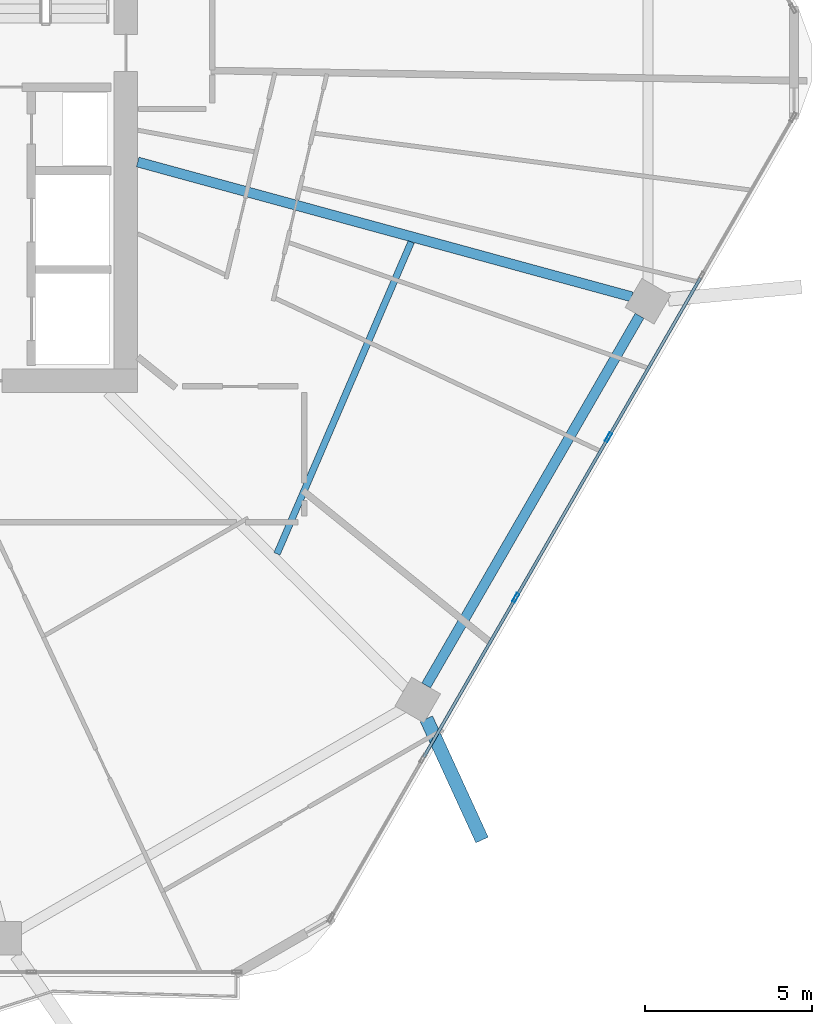
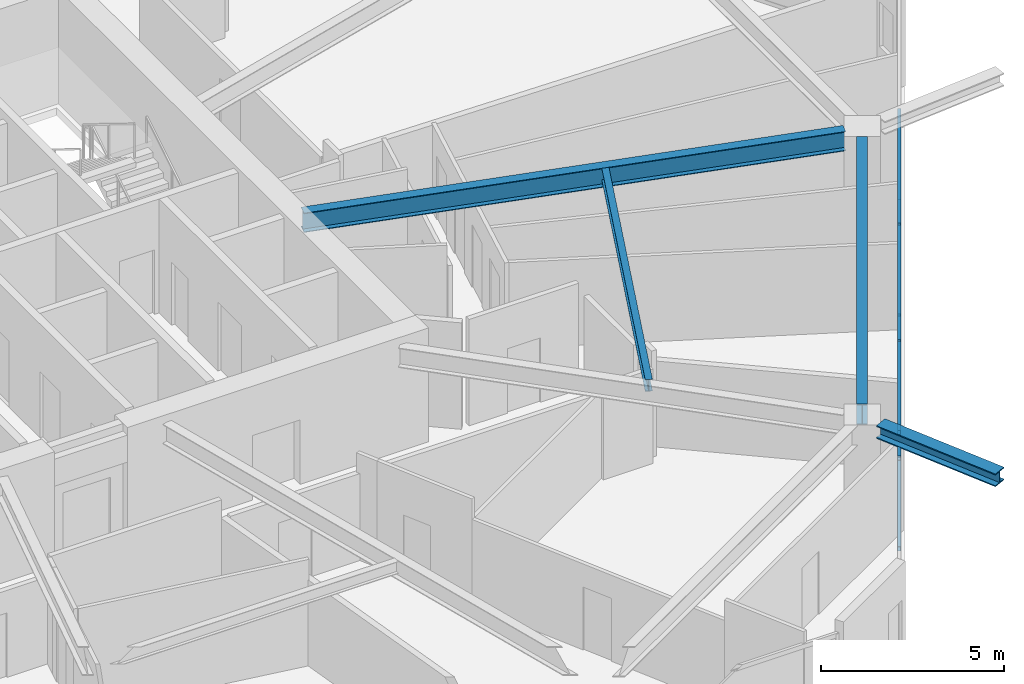
# One storey, part 8 of 27: 8 members, 4 beams, 1 element without a shape of its own.
"""IFC4 building model written with IfcOpenShell, lengths in metres."""

from ifc_helpers import new_model, si_unit, direction, frame, origin, origin_2d, place, context, subcontext, project, spatial, hollow_rectangle, i_section, extrude, material, material_profile, profile_set, type_object, element, aggregate, save


model = new_model("IFC4")

# Units and contexts
model_context = context("Model", 3, precision=1e-05, world=origin(), true_north=direction((0.0, 1.0)))
body_context = subcontext(model_context, "Body", "Model", "MODEL_VIEW")
ifc_project = project(units=[si_unit("LENGTHUNIT", "METRE"), si_unit("AREAUNIT", "SQUARE_METRE"), si_unit("VOLUMEUNIT", "CUBIC_METRE"), si_unit("PLANEANGLEUNIT", "RADIAN"), si_unit("MASSUNIT", "GRAM", prefix="KILO")], contexts=[model_context])

# Site, building, storey
site_placement = place(None, origin())
site = spatial("IfcSite", under=ifc_project, at=site_placement, CompositionType="ELEMENT")
building_placement = place(site_placement, origin())
building = spatial("IfcBuilding", under=site, at=building_placement, Name="Zuhravey Tower", CompositionType="ELEMENT")
storey_placement = place(building_placement, frame((0.0, 0.0, 173.199951171875)))
storey = spatial("IfcBuildingStorey", under=building, at=storey_placement, Name="L43", CompositionType="ELEMENT", Elevation=173.199951171875)

# Curtain wall, members
ifc_material_1 = material(Name="Thermally broken anodised aluminium", Category="aluminium")
curtain_wall_type = type_object("IfcCurtainWallType", Name="Zone 1-2 Residential Curtain Wall CW3", PredefinedType="NOTDEFINED", material=ifc_material_1)
curtain_wall_placement = place(storey_placement, origin())
curtain_wall = element("IfcCurtainWall", 1, at=curtain_wall_placement, inside=storey, type_object=curtain_wall_type, Name="L43 CW3 CW-L43-F6-1", PredefinedType="NOTDEFINED")
ifc_material_2 = material(Name="Anodised aluminium", Category="aluminium")
ifc_material_profile_1 = material_profile(ifc_material_2, hollow_rectangle(XDim=0.090087890625, YDim=0.284912109375, WallThickness=0.0048828125, at=origin_2d()), Name="ALU-RHS-90x285x5")
ifc_profile_set_1 = profile_set([ifc_material_profile_1], Name="Anodised aluminium")
member_type_1 = type_object("IfcMemberType", Name="Curtain-Wall Mullion 90x180", PredefinedType="MULLION", material=ifc_profile_set_1)
member_1_placement = place(storey_placement, frame((60.92724609375, 20.809326171875, 0.0), z_axis=(0.0, 0.0, 1.0), x_axis=(0.866025138215, -0.500000459979, 0.0)))
member_1 = element("IfcMember", 2, at=member_1_placement, type_object=member_type_1, Name="CW3 mullion 3", PredefinedType="MULLION", context=body_context, shape_type="SweptSolid", body=[
    extrude(hollow_rectangle(XDim=0.090087890625, YDim=0.284912109375, WallThickness=0.0048828125, at=origin_2d()), origin(), (0.0, 0.0, 1.0), 3.1220703125),
])
member_2_placement = place(storey_placement, frame((58.155029296875, 16.007568359375, 0.0), z_axis=(0.0, 0.0, 1.0), x_axis=(0.866025138215, -0.500000459979, 0.0)))
member_2 = element("IfcMember", 3, at=member_2_placement, type_object=member_type_1, Name="CW3 mullion 4", PredefinedType="MULLION", context=body_context, shape_type="SweptSolid", body=[
    extrude(hollow_rectangle(XDim=0.090087890625, YDim=0.284912109375, WallThickness=0.0048828125, at=origin_2d()), origin(), (0.0, 0.0, 1.0), 3.1220703125),
])
ifc_material_profile_2 = material_profile(ifc_material_2, hollow_rectangle(XDim=0.090087890625, YDim=0.14990234375, WallThickness=0.0048828125, at=origin_2d()), Name="ALU-RHS-90x150x5")
ifc_profile_set_2 = profile_set([ifc_material_profile_2], Name="Anodised aluminium")
member_type_2 = type_object("IfcMemberType", Name="Curtain-Wall Transom 90x150", PredefinedType="USERDEFINED", material=ifc_profile_set_2)
member_3_placement = place(storey_placement, frame((63.677001953125, 25.572021484375, 0.045166015625), z_axis=(-0.49996138257, -0.86604769842, 0.0), x_axis=(0.86604769842, -0.49996138257, 0.0)))
member_3 = element("IfcMember", 4, at=member_3_placement, type_object=member_type_2, Name="CW3 transom 2.1", ObjectType="TRANSOM", PredefinedType="USERDEFINED", context=body_context, shape_type="SweptSolid", body=[
    extrude(hollow_rectangle(XDim=0.090087890625, YDim=0.14990234375, WallThickness=0.0048828125, at=origin_2d()), origin(), (0.0, 0.0, 1.0), 5.45458984375),
])
member_4_placement = place(storey_placement, frame((63.677001953125, 25.572021484375, 3.0771484375), z_axis=(-0.49996138257, -0.86604769842, 0.0), x_axis=(0.86604769842, -0.49996138257, 0.0)))
member_4 = element("IfcMember", 5, at=member_4_placement, type_object=member_type_2, Name="CW3 transom 2.2", ObjectType="TRANSOM", PredefinedType="USERDEFINED", context=body_context, shape_type="SweptSolid", body=[
    extrude(hollow_rectangle(XDim=0.090087890625, YDim=0.14990234375, WallThickness=0.0048828125, at=origin_2d()), origin(), (0.0, 0.0, 1.0), 5.45458984375),
])
member_5_placement = place(storey_placement, frame((60.90478515625, 20.770263671875, 0.045166015625), z_axis=(-0.499980763544, -0.866036509673, 0.0), x_axis=(0.866036509673, -0.499980763544, 0.0)))
member_5 = element("IfcMember", 6, at=member_5_placement, type_object=member_type_2, Name="CW3 transom 3.1", ObjectType="TRANSOM", PredefinedType="USERDEFINED", context=body_context, shape_type="SweptSolid", body=[
    extrude(hollow_rectangle(XDim=0.090087890625, YDim=0.14990234375, WallThickness=0.0048828125, at=origin_2d()), origin(), (0.0, 0.0, 1.0), 5.454345703125),
])
member_6_placement = place(storey_placement, frame((60.90478515625, 20.770263671875, 3.0771484375), z_axis=(-0.499980763544, -0.866036509673, 0.0), x_axis=(0.866036509673, -0.499980763544, 0.0)))
member_6 = element("IfcMember", 7, at=member_6_placement, type_object=member_type_2, Name="CW3 transom 3.2", ObjectType="TRANSOM", PredefinedType="USERDEFINED", context=body_context, shape_type="SweptSolid", body=[
    extrude(hollow_rectangle(XDim=0.090087890625, YDim=0.14990234375, WallThickness=0.0048828125, at=origin_2d()), origin(), (0.0, 0.0, 1.0), 5.454345703125),
])
member_7_placement = place(storey_placement, frame((58.132568359375, 15.96875, 0.045166015625), z_axis=(-0.49996138257, -0.86604769842, 0.0), x_axis=(0.86604769842, -0.49996138257, 0.0)))
member_7 = element("IfcMember", 8, at=member_7_placement, type_object=member_type_2, Name="CW3 transom 4.1", ObjectType="TRANSOM", PredefinedType="USERDEFINED", context=body_context, shape_type="SweptSolid", body=[
    extrude(hollow_rectangle(XDim=0.090087890625, YDim=0.14990234375, WallThickness=0.0048828125, at=origin_2d()), origin(), (0.0, 0.0, 1.0), 5.45458984375),
])
member_8_placement = place(storey_placement, frame((58.132568359375, 15.96875, 3.0771484375), z_axis=(-0.49996138257, -0.86604769842, 0.0), x_axis=(0.86604769842, -0.49996138257, 0.0)))
member_8 = element("IfcMember", 9, at=member_8_placement, type_object=member_type_2, Name="CW3 transom 4.2", ObjectType="TRANSOM", PredefinedType="USERDEFINED", context=body_context, shape_type="SweptSolid", body=[
    extrude(hollow_rectangle(XDim=0.090087890625, YDim=0.14990234375, WallThickness=0.0048828125, at=origin_2d()), origin(), (0.0, 0.0, 1.0), 5.45458984375),
])
aggregate(curtain_wall, [member_1, member_2, member_3, member_4, member_5, member_6, member_7, member_8])

# Beams
ifc_material_3 = material(Name="Steel SM460", Category="steel")
ifc_material_profile_3 = material_profile(ifc_material_3, i_section(OverallWidth=0.406982421875, OverallDepth=0.427978515625, WebThickness=0.02001953125, FlangeThickness=0.034912109375, at=origin_2d()), Name="H-428x407x20x35")
ifc_profile_set_3 = profile_set([ifc_material_profile_3], Name="Steel SM460")
beam_type_1 = type_object("IfcBeamType", Name="Exoskeleton Node Tie Beam H428x407", PredefinedType="BEAM", material=ifc_profile_set_3)
beam_1_placement = place(storey_placement, frame((55.48291015625, 12.392822265625, 3.3359375), z_axis=(0.417299408562, -0.90876905956, 0.0), x_axis=(0.90876905956, 0.417299408562, 0.0)))
element("IfcBeam", 10, at=beam_1_placement, inside=storey, type_object=beam_type_1, Name="L43 Exoskeleton Node Tie NT1-11", PredefinedType="BEAM", context=body_context, shape_type="SweptSolid", body=[
    extrude(i_section(OverallWidth=0.406982421875, OverallDepth=0.427978515625, WebThickness=0.02001953125, FlangeThickness=0.034912109375, at=origin_2d()), origin(), (0.0, 0.0, 1.0), 3.989501953125),
])
ifc_material_4 = material(Name="Steel SM355", Category="steel")
ifc_material_profile_4 = material_profile(ifc_material_4, i_section(OverallWidth=0.300048828125, OverallDepth=0.679931640625, WebThickness=0.012939453125, FlangeThickness=0.02197265625, at=origin_2d()), Name="H-680x300x13x22")
ifc_profile_set_4 = profile_set([ifc_material_profile_4], Name="Steel SM355")
beam_type_2 = type_object("IfcBeamType", Name="Perimeter Ring Beam H680x300", PredefinedType="BEAM", material=ifc_profile_set_4)
beam_2_placement = place(storey_placement, frame((55.47705078125, 13.388916015625, 3.2099609375), z_axis=(0.499997974489, 0.866026573211, 0.0), x_axis=(-0.866026573211, 0.499997974489, 0.0)))
element("IfcBeam", 11, at=beam_2_placement, inside=storey, type_object=beam_type_2, Name="L43 PB2 BM-L43-PB-11", PredefinedType="BEAM", context=body_context, shape_type="SweptSolid", body=[
    extrude(i_section(OverallWidth=0.300048828125, OverallDepth=0.679931640625, WebThickness=0.012939453125, FlangeThickness=0.02197265625, at=origin_2d()), origin(), (0.0, 0.0, 1.0), 12.75830078125),
])
ifc_material_profile_5 = material_profile(ifc_material_4, i_section(OverallWidth=0.300048828125, OverallDepth=0.64990234375, WebThickness=0.012939453125, FlangeThickness=0.02197265625, at=origin_2d()), Name="H-650x300x13x22")
ifc_profile_set_5 = profile_set([ifc_material_profile_5], Name="Steel SM355")
beam_type_3 = type_object("IfcBeamType", Name="Radial Primary Girder H650x300", PredefinedType="BEAM", material=ifc_profile_set_5)
beam_3_placement = place(storey_placement, frame((46.85302734375, 29.03759765625, 3.22509765625), z_axis=(0.964701601771, -0.263345437667, 0.0), x_axis=(0.263345437667, 0.964701601771, 0.0)))
element("IfcBeam", 12, at=beam_3_placement, inside=storey, type_object=beam_type_3, Name="L43 RG2 BM-L43-RAD-12", PredefinedType="BEAM", context=body_context, shape_type="SweptSolid", body=[
    extrude(i_section(OverallWidth=0.300048828125, OverallDepth=0.64990234375, WebThickness=0.012939453125, FlangeThickness=0.02197265625, at=origin_2d()), origin(), (0.0, 0.0, 1.0), 15.309814453125),
])
ifc_material_profile_6 = material_profile(ifc_material_4, i_section(OverallWidth=0.199951171875, OverallDepth=0.39990234375, WebThickness=0.008056640625, FlangeThickness=0.012939453125, at=origin_2d()), Name="H-400x200x8x13")
ifc_profile_set_6 = profile_set([ifc_material_profile_6], Name="Steel SM355")
beam_type_4 = type_object("IfcBeamType", Name="Secondary Floor Joist H400x200", PredefinedType="JOIST", material=ifc_profile_set_6)
beam_4_placement = place(storey_placement, frame((51.017578125, 17.323974609375, 3.35009765625), z_axis=(0.395265853487, 0.918566766799, 0.0), x_axis=(-0.918566766799, 0.395265853487, 0.0)))
element("IfcBeam", 13, at=beam_4_placement, inside=storey, type_object=beam_type_4, Name="L43 SJ2 BM-L43-SJ-11-1", PredefinedType="JOIST", context=body_context, shape_type="SweptSolid", body=[
    extrude(i_section(OverallWidth=0.199951171875, OverallDepth=0.39990234375, WebThickness=0.008056640625, FlangeThickness=0.012939453125, at=origin_2d()), origin(), (0.0, 0.0, 1.0), 10.150146484375),
])

save(model, "model.ifc")
